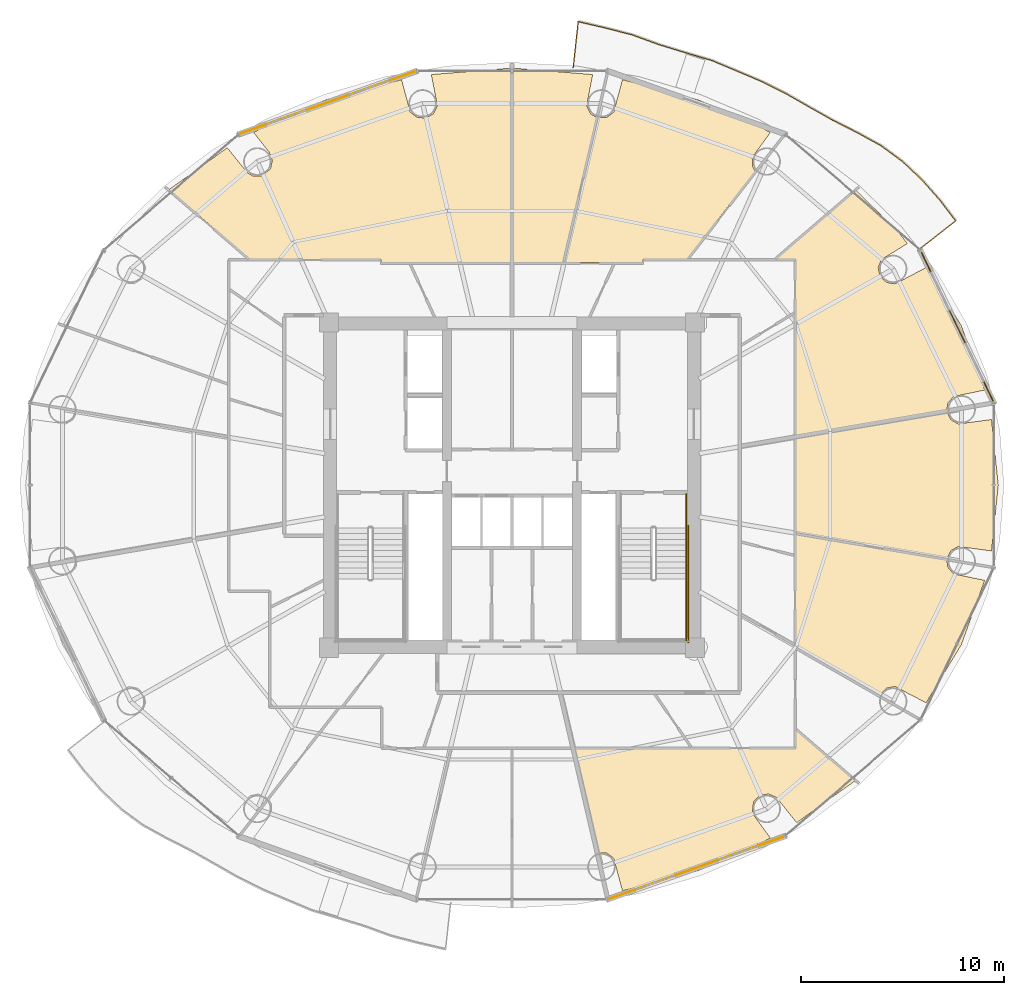
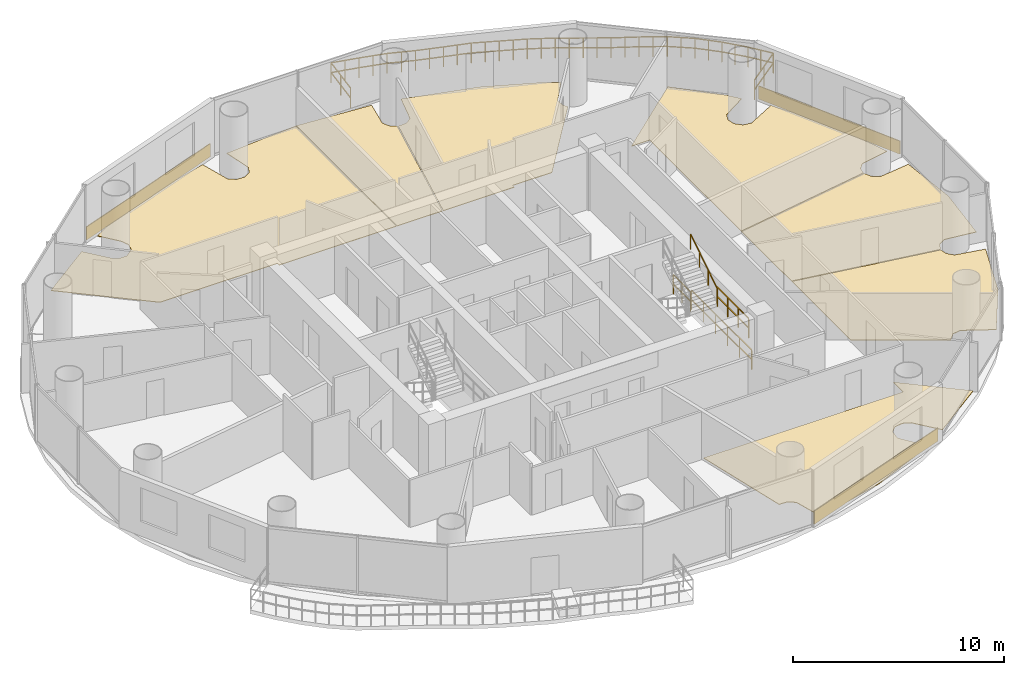
# One storey, part 26 of 26: 10 coverings, 5 railings.
"""IFC4 building model written with IfcOpenShell, lengths in metres."""

from ifc_helpers import new_model, si_unit, direction, frame, origin, origin_2d, place, context, subcontext, project, spatial, polyline, rectangle, outline, extrude, source, transform, mapped, material, layer, layer_set, type_object, element, save


model = new_model("IFC4")

# Units and contexts
model_context = context("Model", 3, precision=1e-05, world=origin(), true_north=direction((-0.2419218956, 0.970295726276)))
body_context = subcontext(model_context, "Body", "Model", "MODEL_VIEW")
ifc_project = project(units=[si_unit("LENGTHUNIT", "METRE"), si_unit("AREAUNIT", "SQUARE_METRE"), si_unit("VOLUMEUNIT", "CUBIC_METRE"), si_unit("PLANEANGLEUNIT", "RADIAN"), si_unit("MASSUNIT", "GRAM", prefix="KILO")], contexts=[model_context])

# Site, building, storey
site_placement = place(None, origin())
site = spatial("IfcSite", under=ifc_project, at=site_placement, CompositionType="ELEMENT")
building_placement = place(site_placement, origin())
building = spatial("IfcBuilding", under=site, at=building_placement, Name="Cobrevalo Terracotta Tower", CompositionType="ELEMENT")
storey_placement = place(building_placement, frame((0.0, 0.0, 139.0)))
storey = spatial("IfcBuildingStorey", under=building, at=storey_placement, Name="L36", CompositionType="ELEMENT", Elevation=139.0)

# Railing
ifc_material_1 = material(Name="Laminated structural glass and stainless steel", Category="steel")
railing_type_1 = type_object("IfcRailingType", Name="Balcony lobe structural glass & terracotta-cap balustrade 1180 mm", PredefinedType="BALUSTRADE", material=ifc_material_1)
railing_1_placement = place(storey_placement, frame((57.958251953125, 38.34033203125, 0.0)))
element("IfcRailing", 1, at=railing_1_placement, inside=storey, type_object=railing_type_1, Name="L36 spiralling balcony lobe balustrade 1", PredefinedType="BALUSTRADE", context=body_context, shape_type="SweptSolid", body=[
    extrude(rectangle(XDim=0.048095703125, YDim=0.048095703125, at=origin_2d()), frame((0.0, 0.0, 1.15576171875), z_axis=(0.787670035742, 0.616097325748, 0.0), x_axis=(-0.616097325748, 0.787670035742, 0.0)), (0.0, 0.0, 1.0), 2.3720703125),
    extrude(rectangle(XDim=0.048095703125, YDim=0.048095703125, at=origin_2d()), frame((0.0, 0.0, 0.58984375), z_axis=(0.787670035742, 0.616097325748, 0.0), x_axis=(-0.616097325748, 0.787670035742, 0.0)), (0.0, 0.0, 1.0), 2.3720703125),
    extrude(rectangle(XDim=0.048095703125, YDim=0.048095703125, at=origin_2d()), frame((1.868408203125, 1.46142578125, 1.15576171875), z_axis=(-0.606764221766, 0.794881864924, 0.0), x_axis=(-0.794881864924, -0.606764221766, 0.0)), (0.0, 0.0, 1.0), 1.295166015625),
    extrude(rectangle(XDim=0.048095703125, YDim=0.048095703125, at=origin_2d()), frame((1.868408203125, 1.46142578125, 0.58984375), z_axis=(-0.606764221766, 0.794881864924, 0.0), x_axis=(-0.794881864924, -0.606764221766, 0.0)), (0.0, 0.0, 1.0), 1.295166015625),
    extrude(rectangle(XDim=0.048095703125, YDim=0.048095703125, at=origin_2d()), frame((1.08251953125, 2.490966796875, 1.15576171875), z_axis=(-0.66293100315, 0.748680495981, 0.0), x_axis=(-0.748680495981, -0.66293100315, 0.0)), (0.0, 0.0, 1.0), 1.3125),
    extrude(rectangle(XDim=0.048095703125, YDim=0.048095703125, at=origin_2d()), frame((1.08251953125, 2.490966796875, 0.58984375), z_axis=(-0.66293100315, 0.748680495981, 0.0), x_axis=(-0.748680495981, -0.66293100315, 0.0)), (0.0, 0.0, 1.0), 1.3125),
    extrude(rectangle(XDim=0.048095703125, YDim=0.048095703125, at=origin_2d()), frame((0.21240234375, 3.4736328125, 1.15576171875), z_axis=(-0.725670123344, 0.688042783615, 0.0), x_axis=(-0.688042783615, -0.725670123344, 0.0)), (0.0, 0.0, 1.0), 1.317138671875),
    extrude(rectangle(XDim=0.048095703125, YDim=0.048095703125, at=origin_2d()), frame((0.21240234375, 3.4736328125, 0.58984375), z_axis=(-0.725670123344, 0.688042783615, 0.0), x_axis=(-0.688042783615, -0.725670123344, 0.0)), (0.0, 0.0, 1.0), 1.317138671875),
    extrude(rectangle(XDim=0.048095703125, YDim=0.048095703125, at=origin_2d()), frame((-0.743408203125, 4.3798828125, 1.15576171875), z_axis=(-0.805505828401, 0.592587850375, 0.0), x_axis=(-0.592587850375, -0.805505828401, 0.0)), (0.0, 0.0, 1.0), 1.322021484375),
    extrude(rectangle(XDim=0.048095703125, YDim=0.048095703125, at=origin_2d()), frame((-0.743408203125, 4.3798828125, 0.58984375), z_axis=(-0.805505828401, 0.592587850375, 0.0), x_axis=(-0.592587850375, -0.805505828401, 0.0)), (0.0, 0.0, 1.0), 1.322021484375),
    extrude(rectangle(XDim=0.048095703125, YDim=0.048095703125, at=origin_2d()), frame((-1.808349609375, 5.163330078125, 1.15576171875), z_axis=(-0.876438575293, 0.481513679701, 0.0), x_axis=(-0.481513679701, -0.876438575293, 0.0)), (0.0, 0.0, 1.0), 1.342041015625),
    extrude(rectangle(XDim=0.048095703125, YDim=0.048095703125, at=origin_2d()), frame((-1.808349609375, 5.163330078125, 0.58984375), z_axis=(-0.876438575293, 0.481513679701, 0.0), x_axis=(-0.481513679701, -0.876438575293, 0.0)), (0.0, 0.0, 1.0), 1.342041015625),
    extrude(rectangle(XDim=0.048095703125, YDim=0.048095703125, at=origin_2d()), frame((-2.984619140625, 5.8095703125, 1.15576171875), z_axis=(-0.892502789635, 0.451041872218, 0.0), x_axis=(-0.451041872218, -0.892502789635, 0.0)), (0.0, 0.0, 1.0), 1.324951171875),
    extrude(rectangle(XDim=0.048095703125, YDim=0.048095703125, at=origin_2d()), frame((-2.984619140625, 5.8095703125, 0.58984375), z_axis=(-0.892502789635, 0.451041872218, 0.0), x_axis=(-0.451041872218, -0.892502789635, 0.0)), (0.0, 0.0, 1.0), 1.324951171875),
    extrude(rectangle(XDim=0.048095703125, YDim=0.048095703125, at=origin_2d()), frame((-4.167236328125, 6.4072265625, 1.15576171875), z_axis=(-0.871097742385, 0.491109685521, 0.0), x_axis=(-0.491109685521, -0.871097742385, 0.0)), (0.0, 0.0, 1.0), 1.32470703125),
    extrude(rectangle(XDim=0.048095703125, YDim=0.048095703125, at=origin_2d()), frame((-4.167236328125, 6.4072265625, 0.58984375), z_axis=(-0.871097742385, 0.491109685521, 0.0), x_axis=(-0.491109685521, -0.871097742385, 0.0)), (0.0, 0.0, 1.0), 1.32470703125),
    extrude(rectangle(XDim=0.048095703125, YDim=0.048095703125, at=origin_2d()), frame((-5.3212890625, 7.057861328125, 1.15576171875), z_axis=(-0.867697985254, 0.497091748459, 0.0), x_axis=(-0.497091748459, -0.867697985254, 0.0)), (0.0, 0.0, 1.0), 1.32421875),
    extrude(rectangle(XDim=0.048095703125, YDim=0.048095703125, at=origin_2d()), frame((-5.3212890625, 7.057861328125, 0.58984375), z_axis=(-0.867697985254, 0.497091748459, 0.0), x_axis=(-0.497091748459, -0.867697985254, 0.0)), (0.0, 0.0, 1.0), 1.32421875),
    extrude(rectangle(XDim=0.048095703125, YDim=0.048095703125, at=origin_2d()), frame((-6.47021484375, 7.716064453125, 1.15576171875), z_axis=(-0.894390479984, 0.447287009998, 0.0), x_axis=(-0.447287009998, -0.894390479984, 0.0)), (0.0, 0.0, 1.0), 1.330078125),
    extrude(rectangle(XDim=0.048095703125, YDim=0.048095703125, at=origin_2d()), frame((-6.47021484375, 7.716064453125, 0.58984375), z_axis=(-0.894390479984, 0.447287009998, 0.0), x_axis=(-0.447287009998, -0.894390479984, 0.0)), (0.0, 0.0, 1.0), 1.330078125),
    extrude(rectangle(XDim=0.048095703125, YDim=0.048095703125, at=origin_2d()), frame((-7.659912109375, 8.31103515625, 1.15576171875), z_axis=(-0.920569883992, 0.390577890678, 0.0), x_axis=(-0.390577890678, -0.920569883992, 0.0)), (0.0, 0.0, 1.0), 1.34130859375),
    extrude(rectangle(XDim=0.048095703125, YDim=0.048095703125, at=origin_2d()), frame((-7.659912109375, 8.31103515625, 0.58984375), z_axis=(-0.920569883992, 0.390577890678, 0.0), x_axis=(-0.390577890678, -0.920569883992, 0.0)), (0.0, 0.0, 1.0), 1.34130859375),
    extrude(rectangle(XDim=0.048095703125, YDim=0.048095703125, at=origin_2d()), frame((-8.894775390625, 8.8349609375, 1.15576171875), z_axis=(-0.922364023, 0.386321898259, 0.0), x_axis=(-0.386321898259, -0.922364023, 0.0)), (0.0, 0.0, 1.0), 1.34033203125),
    extrude(rectangle(XDim=0.048095703125, YDim=0.048095703125, at=origin_2d()), frame((-8.894775390625, 8.8349609375, 0.58984375), z_axis=(-0.922364023, 0.386321898259, 0.0), x_axis=(-0.386321898259, -0.922364023, 0.0)), (0.0, 0.0, 1.0), 1.34033203125),
    extrude(rectangle(XDim=0.048095703125, YDim=0.048095703125, at=origin_2d()), frame((-10.131103515625, 9.352783203125, 1.15576171875), z_axis=(-0.959485897476, 0.281756654835, 0.0), x_axis=(-0.281756654835, -0.959485897476, 0.0)), (0.0, 0.0, 1.0), 1.355224609375),
    extrude(rectangle(XDim=0.048095703125, YDim=0.048095703125, at=origin_2d()), frame((-10.131103515625, 9.352783203125, 0.58984375), z_axis=(-0.959485897476, 0.281756654835, 0.0), x_axis=(-0.281756654835, -0.959485897476, 0.0)), (0.0, 0.0, 1.0), 1.355224609375),
    extrude(rectangle(XDim=0.048095703125, YDim=0.048095703125, at=origin_2d()), frame((-11.431396484375, 9.734619140625, 1.15576171875), z_axis=(-0.955876316417, 0.293769412488, 0.0), x_axis=(-0.293769412488, -0.955876316417, 0.0)), (0.0, 0.0, 1.0), 1.35546875),
    extrude(rectangle(XDim=0.048095703125, YDim=0.048095703125, at=origin_2d()), frame((-11.431396484375, 9.734619140625, 0.58984375), z_axis=(-0.955876316417, 0.293769412488, 0.0), x_axis=(-0.293769412488, -0.955876316417, 0.0)), (0.0, 0.0, 1.0), 1.35546875),
    extrude(rectangle(XDim=0.048095703125, YDim=0.048095703125, at=origin_2d()), frame((-12.72705078125, 10.1328125, 1.15576171875), z_axis=(-0.939346415285, 0.342969841373, 0.0), x_axis=(-0.342969841373, -0.939346415285, 0.0)), (0.0, 0.0, 1.0), 1.373779296875),
    extrude(rectangle(XDim=0.048095703125, YDim=0.048095703125, at=origin_2d()), frame((-12.72705078125, 10.1328125, 0.58984375), z_axis=(-0.939346415285, 0.342969841373, 0.0), x_axis=(-0.342969841373, -0.939346415285, 0.0)), (0.0, 0.0, 1.0), 1.373779296875),
    extrude(rectangle(XDim=0.048095703125, YDim=0.048095703125, at=origin_2d()), frame((-14.017578125, 10.60400390625, 1.15576171875), z_axis=(-0.968079603043, 0.250642937605, 0.0), x_axis=(-0.250642937605, -0.968079603043, 0.0)), (0.0, 0.0, 1.0), 1.380126953125),
    extrude(rectangle(XDim=0.048095703125, YDim=0.048095703125, at=origin_2d()), frame((-14.017578125, 10.60400390625, 0.58984375), z_axis=(-0.968079603043, 0.250642937605, 0.0), x_axis=(-0.250642937605, -0.968079603043, 0.0)), (0.0, 0.0, 1.0), 1.380126953125),
    extrude(rectangle(XDim=0.048095703125, YDim=0.048095703125, at=origin_2d()), frame((-15.353759765625, 10.949951171875, 1.15576171875), z_axis=(-0.974153265191, 0.225888060589, 0.0), x_axis=(-0.225888060589, -0.974153265191, 0.0)), (0.0, 0.0, 1.0), 1.38671875),
    extrude(rectangle(XDim=0.048095703125, YDim=0.048095703125, at=origin_2d()), frame((-15.353759765625, 10.949951171875, 0.58984375), z_axis=(-0.974153265191, 0.225888060589, 0.0), x_axis=(-0.225888060589, -0.974153265191, 0.0)), (0.0, 0.0, 1.0), 1.38671875),
    extrude(rectangle(XDim=0.048095703125, YDim=0.048095703125, at=origin_2d()), frame((-16.70458984375, 11.26318359375, 1.15576171875), z_axis=(-0.107582132798, -0.994196200306, 0.0), x_axis=(0.994196200306, -0.107582132798, 0.0)), (0.0, 0.0, 1.0), 2.276123046875),
    extrude(rectangle(XDim=0.048095703125, YDim=0.048095703125, at=origin_2d()), frame((-16.70458984375, 11.26318359375, 0.58984375), z_axis=(-0.107582132798, -0.994196200306, 0.0), x_axis=(0.994196200306, -0.107582132798, 0.0)), (0.0, 0.0, 1.0), 2.276123046875),
    extrude(rectangle(XDim=0.0419921875, YDim=0.0419921875, at=origin_2d()), origin(), (0.0, 0.0, 1.0), 1.1318359375),
    extrude(rectangle(XDim=0.0419921875, YDim=0.0419921875, at=origin_2d()), frame((0.93408203125, 0.730712890625, 0.0)), (0.0, 0.0, 1.0), 1.1318359375),
    extrude(rectangle(XDim=0.0419921875, YDim=0.0419921875, at=origin_2d()), frame((1.868408203125, 1.46142578125, 0.0)), (0.0, 0.0, 1.0), 1.1318359375),
    extrude(rectangle(XDim=0.0419921875, YDim=0.0419921875, at=origin_2d()), frame((1.4755859375, 1.97607421875, 0.0)), (0.0, 0.0, 1.0), 1.1318359375),
    extrude(rectangle(XDim=0.0419921875, YDim=0.0419921875, at=origin_2d()), frame((1.08251953125, 2.490966796875, 0.0)), (0.0, 0.0, 1.0), 1.1318359375),
    extrude(rectangle(XDim=0.0419921875, YDim=0.0419921875, at=origin_2d()), frame((0.6474609375, 2.982421875, 0.0)), (0.0, 0.0, 1.0), 1.1318359375),
    extrude(rectangle(XDim=0.0419921875, YDim=0.0419921875, at=origin_2d()), frame((0.21240234375, 3.4736328125, 0.0)), (0.0, 0.0, 1.0), 1.1318359375),
    extrude(rectangle(XDim=0.0419921875, YDim=0.0419921875, at=origin_2d()), frame((-0.265625, 3.9267578125, 0.0)), (0.0, 0.0, 1.0), 1.1318359375),
    extrude(rectangle(XDim=0.0419921875, YDim=0.0419921875, at=origin_2d()), frame((-0.743408203125, 4.3798828125, 0.0)), (0.0, 0.0, 1.0), 1.1318359375),
    extrude(rectangle(XDim=0.0419921875, YDim=0.0419921875, at=origin_2d()), frame((-1.27587890625, 4.771484375, 0.0)), (0.0, 0.0, 1.0), 1.1318359375),
    extrude(rectangle(XDim=0.0419921875, YDim=0.0419921875, at=origin_2d()), frame((-1.808349609375, 5.163330078125, 0.0)), (0.0, 0.0, 1.0), 1.1318359375),
    extrude(rectangle(XDim=0.0419921875, YDim=0.0419921875, at=origin_2d()), frame((-2.396484375, 5.486328125, 0.0)), (0.0, 0.0, 1.0), 1.1318359375),
    extrude(rectangle(XDim=0.0419921875, YDim=0.0419921875, at=origin_2d()), frame((-2.984619140625, 5.8095703125, 0.0)), (0.0, 0.0, 1.0), 1.1318359375),
    extrude(rectangle(XDim=0.0419921875, YDim=0.0419921875, at=origin_2d()), frame((-3.575927734375, 6.1083984375, 0.0)), (0.0, 0.0, 1.0), 1.1318359375),
    extrude(rectangle(XDim=0.0419921875, YDim=0.0419921875, at=origin_2d()), frame((-4.167236328125, 6.4072265625, 0.0)), (0.0, 0.0, 1.0), 1.1318359375),
    extrude(rectangle(XDim=0.0419921875, YDim=0.0419921875, at=origin_2d()), frame((-4.744140625, 6.732421875, 0.0)), (0.0, 0.0, 1.0), 1.1318359375),
    extrude(rectangle(XDim=0.0419921875, YDim=0.0419921875, at=origin_2d()), frame((-5.3212890625, 7.057861328125, 0.0)), (0.0, 0.0, 1.0), 1.1318359375),
    extrude(rectangle(XDim=0.0419921875, YDim=0.0419921875, at=origin_2d()), frame((-5.895751953125, 7.386962890625, 0.0)), (0.0, 0.0, 1.0), 1.1318359375),
    extrude(rectangle(XDim=0.0419921875, YDim=0.0419921875, at=origin_2d()), frame((-6.47021484375, 7.716064453125, 0.0)), (0.0, 0.0, 1.0), 1.1318359375),
    extrude(rectangle(XDim=0.0419921875, YDim=0.0419921875, at=origin_2d()), frame((-7.06494140625, 8.013671875, 0.0)), (0.0, 0.0, 1.0), 1.1318359375),
    extrude(rectangle(XDim=0.0419921875, YDim=0.0419921875, at=origin_2d()), frame((-7.659912109375, 8.31103515625, 0.0)), (0.0, 0.0, 1.0), 1.1318359375),
    extrude(rectangle(XDim=0.0419921875, YDim=0.0419921875, at=origin_2d()), frame((-8.27734375, 8.572998046875, 0.0)), (0.0, 0.0, 1.0), 1.1318359375),
    extrude(rectangle(XDim=0.0419921875, YDim=0.0419921875, at=origin_2d()), frame((-8.894775390625, 8.8349609375, 0.0)), (0.0, 0.0, 1.0), 1.1318359375),
    extrude(rectangle(XDim=0.0419921875, YDim=0.0419921875, at=origin_2d()), frame((-9.512939453125, 9.09375, 0.0)), (0.0, 0.0, 1.0), 1.1318359375),
    extrude(rectangle(XDim=0.0419921875, YDim=0.0419921875, at=origin_2d()), frame((-10.131103515625, 9.352783203125, 0.0)), (0.0, 0.0, 1.0), 1.1318359375),
    extrude(rectangle(XDim=0.0419921875, YDim=0.0419921875, at=origin_2d()), frame((-10.78125, 9.543701171875, 0.0)), (0.0, 0.0, 1.0), 1.1318359375),
    extrude(rectangle(XDim=0.0419921875, YDim=0.0419921875, at=origin_2d()), frame((-11.431396484375, 9.734619140625, 0.0)), (0.0, 0.0, 1.0), 1.1318359375),
    extrude(rectangle(XDim=0.0419921875, YDim=0.0419921875, at=origin_2d()), frame((-12.0791015625, 9.93359375, 0.0)), (0.0, 0.0, 1.0), 1.1318359375),
    extrude(rectangle(XDim=0.0419921875, YDim=0.0419921875, at=origin_2d()), frame((-12.72705078125, 10.1328125, 0.0)), (0.0, 0.0, 1.0), 1.1318359375),
    extrude(rectangle(XDim=0.0419921875, YDim=0.0419921875, at=origin_2d()), frame((-13.372314453125, 10.368408203125, 0.0)), (0.0, 0.0, 1.0), 1.1318359375),
    extrude(rectangle(XDim=0.0419921875, YDim=0.0419921875, at=origin_2d()), frame((-14.017578125, 10.60400390625, 0.0)), (0.0, 0.0, 1.0), 1.1318359375),
    extrude(rectangle(XDim=0.0419921875, YDim=0.0419921875, at=origin_2d()), frame((-14.685546875, 10.77685546875, 0.0)), (0.0, 0.0, 1.0), 1.1318359375),
    extrude(rectangle(XDim=0.0419921875, YDim=0.0419921875, at=origin_2d()), frame((-15.353759765625, 10.949951171875, 0.0)), (0.0, 0.0, 1.0), 1.1318359375),
    extrude(rectangle(XDim=0.0419921875, YDim=0.0419921875, at=origin_2d()), frame((-16.029296875, 11.1064453125, 0.0)), (0.0, 0.0, 1.0), 1.1318359375),
    extrude(rectangle(XDim=0.0419921875, YDim=0.0419921875, at=origin_2d()), frame((-16.70458984375, 11.26318359375, 0.0)), (0.0, 0.0, 1.0), 1.1318359375),
    extrude(rectangle(XDim=0.0419921875, YDim=0.0419921875, at=origin_2d()), frame((-16.8271484375, 10.1318359375, 0.0)), (0.0, 0.0, 1.0), 1.1318359375),
    extrude(rectangle(XDim=0.0419921875, YDim=0.0419921875, at=origin_2d()), frame((-16.949462890625, 9.000244140625, 0.0)), (0.0, 0.0, 1.0), 1.1318359375),
])

# Coverings
ifc_material_2 = material(Name="Engineered Brazilian hardwood flooring", Category="wood")
ifc_layer_1 = layer(ifc_material_2, 0.028076171875)
ifc_layer_set_1 = layer_set([ifc_layer_1], Name="Engineered Brazilian hardwood flooring")
covering_type_1 = type_object("IfcCoveringType", Name="Engineered Hardwood Suite Flooring 28", PredefinedType="FLOORING", material=ifc_layer_set_1)
covering_1_placement = place(storey_placement, origin())
element("IfcCovering", 2, at=covering_1_placement, inside=storey, type_object=covering_type_1, Name="Flat L36A Living and Dining Room floor finish", PredefinedType="FLOORING", context=body_context, shape_type="SweptSolid", body=[
    extrude(outline(polyline([(56.97802734375, 39.29052734375), (57.448486328125, 38.6865234375), (56.165771484375, 37.89404296875), (56.011474609375, 37.4931640625), (56.10595703125, 37.073974609375), (56.417236328125, 36.77783203125), (56.8408203125, 36.70458984375), (58.367431640625, 37.50634765625), (60.099609375, 34.651611328125), (61.251708984375, 31.478271484375), (59.7236328125, 31.1630859375), (59.44140625, 30.8388671875), (59.382568359375, 30.47607421875), (51.955078125, 29.2060546875), (51.955078125, 37.905029296875), (50.950927734375, 37.905029296875), (54.9111328125, 41.308837890625), (56.97802734375, 39.29052734375)])), origin(), (0.0, 0.0, 1.0), 0.030029296875),
])
covering_2_placement = place(storey_placement, origin())
element("IfcCovering", 3, at=covering_2_placement, inside=storey, type_object=covering_type_1, Name="Flat L36A Penthouse Family Lounge floor finish", PredefinedType="FLOORING", context=body_context, shape_type="SweptSolid", body=[
    extrude(outline(polyline([(49.961181640625, 44.5703125), (50.704833984375, 44.143798828125), (49.815673828125, 42.9228515625), (49.824462890625, 42.4931640625), (49.97509765625, 42.236572265625), (46.607666015625, 37.905029296875), (44.445068359375, 37.905029296875), (44.445068359375, 37.7451171875), (40.553466796875, 37.7451171875), (42.203369140625, 44.873779296875), (42.6591796875, 44.88916015625), (43.00048828125, 45.150390625), (43.432861328125, 46.75), (47.15478515625, 45.757568359375), (49.961181640625, 44.5703125)])), origin(), (0.0, 0.0, 1.0), 0.030029296875),
])
covering_3_placement = place(storey_placement, origin())
element("IfcCovering", 4, at=covering_3_placement, inside=storey, type_object=covering_type_1, Name="Flat L36A Principal Guest Bedroom floor finish", PredefinedType="FLOORING", context=body_context, shape_type="SweptSolid", body=[
    extrude(outline(polyline([(38.02001953125, 47.31884765625), (41.97119140625, 46.99951171875), (41.6689453125, 45.462158203125), (41.858642578125, 45.07666015625), (42.16455078125, 44.8837890625), (40.512451171875, 37.7451171875), (38.02001953125, 37.7451171875), (38.02001953125, 47.31884765625)])), origin(), (0.0, 0.0, 1.0), 0.030029296875),
])
covering_4_placement = place(storey_placement, origin())
element("IfcCovering", 5, at=covering_4_placement, inside=storey, type_object=covering_type_1, Name="Flat L36B Penthouse Living and Dining Room floor finish", PredefinedType="FLOORING", context=body_context, shape_type="SweptSolid", body=[
    extrude(outline(polyline([(23.99755859375, 43.39990234375), (24.99072265625, 42.160400390625), (25.242431640625, 42.01904296875), (25.672119140625, 42.01025390625), (26.1171875, 42.3603515625), (26.209716796875, 42.780029296875), (26.053955078125, 43.179443359375), (25.295166015625, 44.143798828125), (26.038818359375, 44.5703125), (28.84521484375, 45.757568359375), (32.567138671875, 46.75), (32.99951171875, 45.150390625), (33.3408203125, 44.88916015625), (33.76953125, 44.861328125), (34.141357421875, 45.07666015625), (34.3310546875, 45.462158203125), (34.02880859375, 46.99951171875), (37.97998046875, 47.31884765625), (37.97998046875, 37.7451171875), (31.554931640625, 37.7451171875), (31.554931640625, 37.905029296875), (25.1103515625, 37.905029296875), (21.119873046875, 41.3349609375), (23.99755859375, 43.39990234375)])), origin(), (0.0, 0.0, 1.0), 0.030029296875),
])
covering_5_placement = place(storey_placement, origin())
element("IfcCovering", 6, at=covering_5_placement, inside=storey, type_object=covering_type_1, Name="Flat L36D Living and Dining Room floor finish", PredefinedType="FLOORING", context=body_context, shape_type="SweptSolid", body=[
    extrude(outline(polyline([(52.00244140625, 10.2001953125), (51.00927734375, 11.439697265625), (50.61572265625, 11.6123046875), (50.192626953125, 11.537109375), (49.8828125, 11.239501953125), (49.815673828125, 10.67724609375), (50.704833984375, 9.4560546875), (49.961181640625, 9.02978515625), (47.15478515625, 7.84228515625), (43.432861328125, 6.849853515625), (43.00048828125, 8.44970703125), (42.6591796875, 8.7109375), (42.203369140625, 8.72607421875), (41.0185546875, 13.844970703125), (51.955078125, 13.844970703125), (51.955078125, 14.779296875), (54.880126953125, 12.264892578125), (52.00244140625, 10.2001953125)])), origin(), (0.0, 0.0, 1.0), 0.030029296875),
])
covering_6_placement = place(storey_placement, origin())
element("IfcCovering", 7, at=covering_6_placement, inside=storey, type_object=covering_type_1, Name="Flat L36D Principal Guest Bedroom floor finish", PredefinedType="FLOORING", context=body_context, shape_type="SweptSolid", body=[
    extrude(outline(polyline([(58.367431640625, 16.09375), (56.8408203125, 16.895263671875), (56.417236328125, 16.822021484375), (56.070068359375, 16.4453125), (51.955078125, 18.80859375), (51.955078125, 24.393798828125), (59.382568359375, 23.1240234375), (59.44140625, 22.760986328125), (59.7236328125, 22.43701171875), (61.251708984375, 22.121826171875), (60.099609375, 18.948486328125), (58.367431640625, 16.09375)])), origin(), (0.0, 0.0, 1.0), 0.030029296875),
])
covering_7_placement = place(storey_placement, origin())
element("IfcCovering", 8, at=covering_7_placement, inside=storey, type_object=covering_type_1, Name="Flat L36D Penthouse Family Lounge floor finish", PredefinedType="FLOORING", context=body_context, shape_type="SweptSolid", body=[
    extrude(outline(polyline([(59.388427734375, 30.436279296875), (59.578369140625, 30.028076171875), (59.951416015625, 29.814697265625), (61.58642578125, 30.03369140625), (61.919921875, 26.800048828125), (61.58642578125, 23.566162109375), (59.951416015625, 23.785400390625), (59.578369140625, 23.572021484375), (59.388427734375, 23.16357421875), (51.955078125, 24.4345703125), (51.955078125, 29.16552734375), (59.388427734375, 30.436279296875)])), origin(), (0.0, 0.0, 1.0), 0.030029296875),
])

# Railings
ifc_material_3 = material(Name="Brushed stainless steel", Category="steel")
railing_type_2 = type_object("IfcRailingType", Name="Stainless Steel Stair Handrail 900", PredefinedType="HANDRAIL", material=ifc_material_3)
railing_2_placement = place(storey_placement, frame((46.574951171875, 22.179931640625, 1.97998046875)))
element("IfcRailing", 9, at=railing_2_placement, inside=storey, type_object=railing_type_2, Name="L36 ST-2 stair handrail 2", PredefinedType="HANDRAIL", context=body_context, shape_type="SweptSolid", body=[
    extrude(rectangle(XDim=0.048095703125, YDim=0.048095703125, at=origin_2d()), frame((0.0, 0.0, 0.8759765625), z_axis=(0.0, 0.841162588446, 0.540782303519), x_axis=(-1.0, 0.0, 0.0)), (0.0, 0.0, 1.0), 2.995849609375),
    extrude(rectangle(XDim=0.0419921875, YDim=0.0419921875, at=origin_2d()), origin(), (0.0, 0.0, 1.0), 0.851806640625),
    extrude(rectangle(XDim=0.0419921875, YDim=0.0419921875, at=origin_2d()), frame((0.0, 0.840087890625, 0.5400390625)), (0.0, 0.0, 1.0), 0.851806640625),
    extrude(rectangle(XDim=0.0419921875, YDim=0.0419921875, at=origin_2d()), frame((0.0, 1.679931640625, 1.080078125)), (0.0, 0.0, 1.0), 0.851806640625),
    extrude(rectangle(XDim=0.0419921875, YDim=0.0419921875, at=origin_2d()), frame((0.0, 2.52001953125, 1.6201171875)), (0.0, 0.0, 1.0), 0.851806640625),
])
ifc_material_4 = material(Name="Painted galvanized steel", Category="steel")
railing_type_3 = type_object("IfcRailingType", Name="Stair Well Guard Balustrade 1150", PredefinedType="GUARDRAIL", material=ifc_material_4)
railing_3_placement = place(storey_placement, frame((46.574951171875, 22.179931640625, 1.800048828125)))
element("IfcRailing", 10, at=railing_3_placement, inside=storey, type_object=railing_type_3, Name="L36 ST-2 stair guard 4", PredefinedType="GUARDRAIL", context=body_context, shape_type="SweptSolid", body=[
    extrude(rectangle(XDim=0.048095703125, YDim=0.048095703125, at=origin_2d()), frame((0.0, 0.0, 1.1259765625), z_axis=(0.0, -1.0, 0.0), x_axis=(1.0, 0.0, 0.0)), (0.0, 0.0, 1.0), 3.0048828125),
    extrude(rectangle(XDim=0.048095703125, YDim=0.048095703125, at=origin_2d()), frame((0.0, 0.0, 0.574951171875), z_axis=(0.0, -1.0, 0.0), x_axis=(1.0, 0.0, 0.0)), (0.0, 0.0, 1.0), 3.0048828125),
    extrude(rectangle(XDim=0.0419921875, YDim=0.0419921875, at=origin_2d()), origin(), (0.0, 0.0, 1.0), 1.101806640625),
    extrude(rectangle(XDim=0.0419921875, YDim=0.0419921875, at=origin_2d()), frame((0.0, -1.001708984375, 0.0)), (0.0, 0.0, 1.0), 1.101806640625),
    extrude(rectangle(XDim=0.0419921875, YDim=0.0419921875, at=origin_2d()), frame((0.0, -2.003173828125, 0.0)), (0.0, 0.0, 1.0), 1.101806640625),
    extrude(rectangle(XDim=0.0419921875, YDim=0.0419921875, at=origin_2d()), frame((0.0, -3.0048828125, 0.0)), (0.0, 0.0, 1.0), 1.101806640625),
])
railing_4_placement = place(storey_placement, frame((46.574951171875, 26.35009765625, 0.0)))
element("IfcRailing", 11, at=railing_4_placement, inside=storey, type_object=railing_type_3, Name="L36 ST-2 stair guard 9", PredefinedType="GUARDRAIL", context=body_context, shape_type="SweptSolid", body=[
    extrude(rectangle(XDim=0.048095703125, YDim=0.048095703125, at=origin_2d()), frame((0.0, 0.0, 1.1259765625), z_axis=(0.0, -1.0, 0.0), x_axis=(1.0, 0.0, 0.0)), (0.0, 0.0, 1.0), 1.650146484375),
    extrude(rectangle(XDim=0.048095703125, YDim=0.048095703125, at=origin_2d()), frame((0.0, 0.0, 0.574951171875), z_axis=(0.0, -1.0, 0.0), x_axis=(1.0, 0.0, 0.0)), (0.0, 0.0, 1.0), 1.650146484375),
    extrude(rectangle(XDim=0.0419921875, YDim=0.0419921875, at=origin_2d()), origin(), (0.0, 0.0, 1.0), 1.101806640625),
    extrude(rectangle(XDim=0.0419921875, YDim=0.0419921875, at=origin_2d()), frame((0.0, -0.8251953125, 0.0)), (0.0, 0.0, 1.0), 1.101806640625),
    extrude(rectangle(XDim=0.0419921875, YDim=0.0419921875, at=origin_2d()), frame((0.0, -1.650146484375, 0.0)), (0.0, 0.0, 1.0), 1.101806640625),
])
railing_5_placement = place(storey_placement, frame((46.675048828125, 24.800048828125, 0.0)))
element("IfcRailing", 12, at=railing_5_placement, inside=storey, type_object=railing_type_3, Name="L36 ST-2 stair guard 11", PredefinedType="GUARDRAIL", context=body_context, shape_type="SweptSolid", body=[
    extrude(rectangle(XDim=0.048095703125, YDim=0.048095703125, at=origin_2d()), frame((0.0, 0.0, 1.1259765625), z_axis=(0.0, -1.0, 0.0), x_axis=(1.0, 0.0, 0.0)), (0.0, 0.0, 1.0), 5.72509765625),
    extrude(rectangle(XDim=0.048095703125, YDim=0.048095703125, at=origin_2d()), frame((0.0, 0.0, 0.574951171875), z_axis=(0.0, -1.0, 0.0), x_axis=(1.0, 0.0, 0.0)), (0.0, 0.0, 1.0), 5.72509765625),
    extrude(rectangle(XDim=0.0419921875, YDim=0.0419921875, at=origin_2d()), origin(), (0.0, 0.0, 1.0), 1.101806640625),
    extrude(rectangle(XDim=0.0419921875, YDim=0.0419921875, at=origin_2d()), frame((0.0, -1.14501953125, 0.0)), (0.0, 0.0, 1.0), 1.101806640625),
    extrude(rectangle(XDim=0.0419921875, YDim=0.0419921875, at=origin_2d()), frame((0.0, -2.2900390625, 0.0)), (0.0, 0.0, 1.0), 1.101806640625),
    extrude(rectangle(XDim=0.0419921875, YDim=0.0419921875, at=origin_2d()), frame((0.0, -3.43505859375, 0.0)), (0.0, 0.0, 1.0), 1.101806640625),
    extrude(rectangle(XDim=0.0419921875, YDim=0.0419921875, at=origin_2d()), frame((0.0, -4.580078125, 0.0)), (0.0, 0.0, 1.0), 1.101806640625),
    extrude(rectangle(XDim=0.0419921875, YDim=0.0419921875, at=origin_2d()), frame((0.0, -5.72509765625, 0.0)), (0.0, 0.0, 1.0), 1.101806640625),
])

# Coverings
ifc_material_5 = material(Name="Glazed terracotta facade cladding tile", Category="masonry")
ifc_layer_2 = layer(ifc_material_5, 0.044921875)
ifc_layer_set_2 = layer_set([ifc_layer_2], Name="Glazed terracotta facade cladding tile")
covering_type_2 = type_object("IfcCoveringType", Name="Architectural terracotta rainscreen spandrel cladding 45 mm", PredefinedType="CLADDING", material=ifc_layer_set_2)
shared_shape_1 = source(origin(), body_context, "Body", "SweptSolid", [
    extrude(rectangle(XDim=8.111572265625, YDim=0.044921875, at=origin_2d()), origin(), (0.0, 0.0, 1.0), 0.760009765625),
])
covering_8_placement = place(storey_placement, frame((59.901123046875, 34.595703125, 0.0400390625), z_axis=(0.0, 0.0, 1.0), x_axis=(-0.434209440271, 0.900811945957, 0.0)))
element("IfcCovering", 13, at=covering_8_placement, inside=storey, type_object=covering_type_2, Name="L36 terracotta spandrel cladding S01", PredefinedType="CLADDING", context=body_context, shape_type="MappedRepresentation", body=[
    mapped(shared_shape_1, transform((0.0, 0.0, 0.0), scale=1.0)),
])
shared_shape_2 = source(origin(), body_context, "Body", "SweptSolid", [
    extrude(rectangle(XDim=9.04833984375, YDim=0.044921875, at=origin_2d()), origin(), (0.0, 0.0, 1.0), 0.760009765625),
])
for number, where, z_axis, x_axis, name in (
    (14, (28.92822265625, 45.620361328125, 0.0400390625), (0.0, 0.0, 1.0), (-0.942098428897, -0.335336473217, 0.0), "L36 terracotta spandrel cladding S05"),
    (15, (47.07177734375, 7.979736328125, 0.0400390625), (0.0, 0.0, 1.0), (0.942098428897, 0.335336473217, 0.0), "L36 terracotta spandrel cladding S13"),
):
    element("IfcCovering", number, at=place(storey_placement, frame(where, z_axis=z_axis, x_axis=x_axis)), inside=storey, type_object=covering_type_2, Name=name, PredefinedType="CLADDING", context=body_context, shape_type="MappedRepresentation", body=[
        mapped(shared_shape_2, transform((0.0, 0.0, 0.0), scale=1.0)),
    ])

save(model, "model.ifc")
